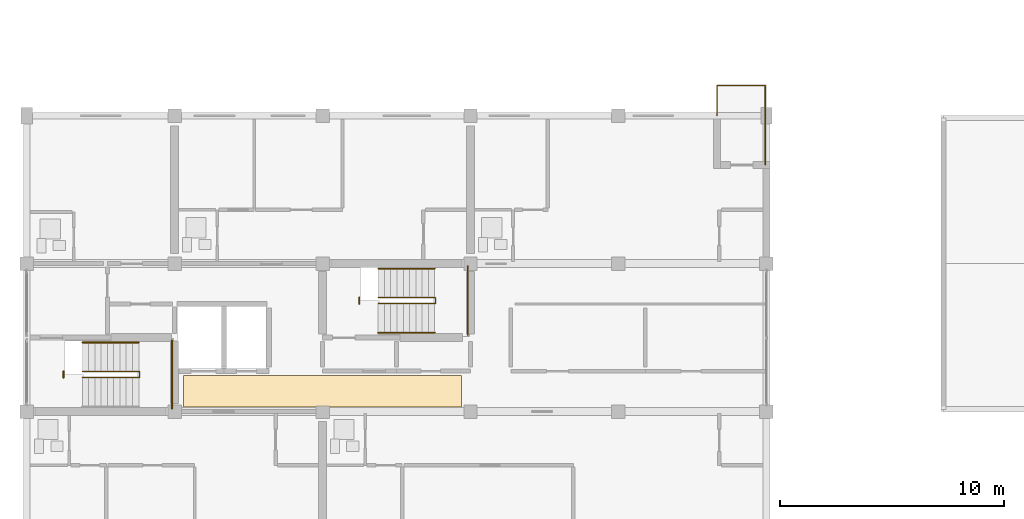
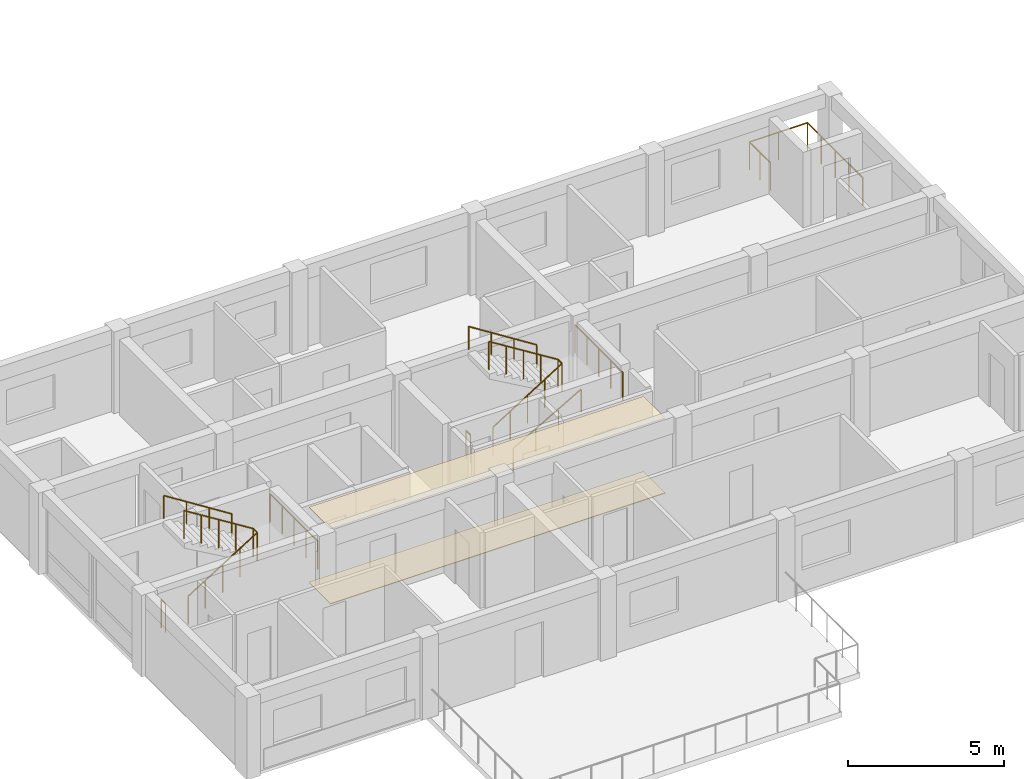
# One storey, part 47 of 51: 10 railings, 2 coverings.
"""IFC4 building model written with IfcOpenShell, lengths in metres."""

from ifc_helpers import new_model, si_unit, direction, frame, origin, origin_2d, place, context, subcontext, project, spatial, polyline, circle, outline, extrude, material, layer, layer_set, type_object, element, save


model = new_model("IFC4")

# Units and contexts
model_context = context("Model", 3, precision=1e-05, world=origin(), true_north=direction((0.0, 1.0)))
body_context = subcontext(model_context, "Body", "Model", "MODEL_VIEW")
ifc_project = project(units=[si_unit("LENGTHUNIT", "METRE"), si_unit("AREAUNIT", "SQUARE_METRE"), si_unit("VOLUMEUNIT", "CUBIC_METRE"), si_unit("PLANEANGLEUNIT", "RADIAN"), si_unit("MASSUNIT", "GRAM", prefix="KILO")], contexts=[model_context])

# Site, building, storey
site_placement = place(None, origin())
site = spatial("IfcSite", under=ifc_project, at=site_placement, CompositionType="ELEMENT")
building_placement = place(site_placement, origin())
building = spatial("IfcBuilding", under=site, at=building_placement, Name="Kernevlak Ridge Housing Community", CompositionType="ELEMENT")
storey_placement = place(building_placement, frame((0.0, 0.0, 8.39990234375)))
storey = spatial("IfcBuildingStorey", under=building, at=storey_placement, Name="L02", CompositionType="ELEMENT", Elevation=8.39990234375)

# Railing
ifc_material_1 = material(Name="Steel S355", Category="steel")
railing_type_1 = type_object("IfcRailingType", Name="BL-01", PredefinedType="BALUSTRADE", material=ifc_material_1)
railing_1_placement = place(storey_placement, frame((46.39990234375, 95.800048828125, 0.0)))
element("IfcRailing", 1, at=railing_1_placement, inside=storey, type_object=railing_type_1, Name="Block A L02 balcony balustrade BL-01 1", PredefinedType="BALUSTRADE", context=body_context, shape_type="SweptSolid", body=[
    extrude(circle(Radius=0.02392578125, at=origin_2d()), frame((0.0, 0.0, 1.076171875), z_axis=(0.0, 1.0, 0.0), x_axis=(-1.0, 0.0, 0.0)), (0.0, 0.0, 1.0), 1.349853515625),
    extrude(circle(Radius=0.02392578125, at=origin_2d()), frame((0.0, 1.349853515625, 1.076171875), z_axis=(1.0, 0.0, 0.0), x_axis=(0.0, 1.0, 0.0)), (0.0, 0.0, 1.0), 2.150146484375),
    extrude(circle(Radius=0.02392578125, at=origin_2d()), frame((2.150146484375, 1.349853515625, 1.076171875), z_axis=(0.0, -1.0, 0.0), x_axis=(1.0, 0.0, 0.0)), (0.0, 0.0, 1.0), 3.5498046875),
    extrude(circle(Radius=0.02099609375, at=origin_2d()), origin(), (0.0, 0.0, 1.0), 1.052001953125),
    extrude(circle(Radius=0.02099609375, at=origin_2d()), frame((0.0, 0.6748046875, 0.0)), (0.0, 0.0, 1.0), 1.052001953125),
    extrude(circle(Radius=0.02099609375, at=origin_2d()), frame((0.0, 1.349853515625, 0.0)), (0.0, 0.0, 1.0), 1.052001953125),
    extrude(circle(Radius=0.02099609375, at=origin_2d()), frame((1.0751953125, 1.349853515625, 0.0)), (0.0, 0.0, 1.0), 1.052001953125),
    extrude(circle(Radius=0.02099609375, at=origin_2d()), frame((2.150146484375, 1.349853515625, 0.0)), (0.0, 0.0, 1.0), 1.052001953125),
    extrude(circle(Radius=0.02099609375, at=origin_2d()), frame((2.150146484375, 0.46240234375, 0.0)), (0.0, 0.0, 1.0), 1.052001953125),
    extrude(circle(Radius=0.02099609375, at=origin_2d()), frame((2.150146484375, -0.425048828125, 0.0)), (0.0, 0.0, 1.0), 1.052001953125),
    extrude(circle(Radius=0.02099609375, at=origin_2d()), frame((2.150146484375, -1.3125, 0.0)), (0.0, 0.0, 1.0), 1.052001953125),
    extrude(circle(Radius=0.02099609375, at=origin_2d()), frame((2.150146484375, -2.199951171875, 0.0)), (0.0, 0.0, 1.0), 1.052001953125),
])

# Coverings
ifc_material_2 = material(Name="Acoustic perforated gypsum ceiling board")
ifc_layer_1 = layer(ifc_material_2, 0.02001953125, Name="Acoustic perforated gypsum ceiling board")
ifc_layer_set_1 = layer_set([ifc_layer_1], Name="Acoustic perforated gypsum ceiling board")
covering_type_1 = type_object("IfcCoveringType", Name="CV-01", PredefinedType="CEILING", material=ifc_layer_set_1)
covering_1_placement = place(storey_placement, frame((0.0, 0.0, 2.940185546875)))
element("IfcCovering", 2, at=covering_1_placement, inside=storey, type_object=covering_type_1, Name="Block A L02 lobby acoustic ceiling", PredefinedType="CEILING", context=body_context, shape_type="SweptSolid", body=[
    extrude(outline(polyline([(22.60009765625, 82.800048828125), (35.0, 82.800048828125), (35.0, 84.199951171875), (22.60009765625, 84.199951171875), (22.60009765625, 82.800048828125)])), origin(), (0.0, 0.0, 1.0), 0.02001953125),
])
ifc_material_3 = material(Name="Polished pale terrazzo tile flooring")
ifc_layer_2 = layer(ifc_material_3, 0.02490234375, Name="Polished pale terrazzo tile flooring")
ifc_layer_set_2 = layer_set([ifc_layer_2], Name="Polished pale terrazzo tile flooring")
covering_type_2 = type_object("IfcCoveringType", Name="CV-02", PredefinedType="FLOORING", material=ifc_layer_set_2)
covering_2_placement = place(storey_placement, origin())
element("IfcCovering", 3, at=covering_2_placement, inside=storey, type_object=covering_type_2, Name="Block A L02 lobby terrazzo flooring", PredefinedType="FLOORING", context=body_context, shape_type="SweptSolid", body=[
    extrude(outline(polyline([(22.60009765625, 82.800048828125), (35.0, 82.800048828125), (35.0, 84.199951171875), (22.60009765625, 84.199951171875), (22.60009765625, 82.800048828125)])), origin(), (0.0, 0.0, 1.0), 0.025146484375),
])

# Railings
railing_type_2 = type_object("IfcRailingType", Name="GR-02", PredefinedType="GUARDRAIL", material=ifc_material_1)
railing_2_placement = place(storey_placement, frame((17.239990234375, 84.110107421875, 0.0)))
element("IfcRailing", 4, at=railing_2_placement, inside=storey, type_object=railing_type_2, Name="Stair ST-A1 L02 well slot guard", PredefinedType="GUARDRAIL", context=body_context, shape_type="SweptSolid", body=[
    extrude(circle(Radius=0.02392578125, at=origin_2d()), frame((0.0, 0.0, 1.09619140625), z_axis=(0.0, 1.0, 0.0), x_axis=(-1.0, 0.0, 0.0)), (0.0, 0.0, 1.0), 0.27978515625),
    extrude(circle(Radius=0.02099609375, at=origin_2d()), origin(), (0.0, 0.0, 1.0), 1.072021484375),
    extrude(circle(Radius=0.02099609375, at=origin_2d()), frame((0.0, 0.27978515625, 0.0)), (0.0, 0.0, 1.0), 1.072021484375),
])
railing_3_placement = place(storey_placement, frame((18.080078125, 84.1201171875, 0.0)))
element("IfcRailing", 5, at=railing_3_placement, inside=storey, type_object=railing_type_2, Name="Stair ST-A1 L02 inner well guardrail", PredefinedType="GUARDRAIL", context=body_context, shape_type="SweptSolid", body=[
    extrude(circle(Radius=0.02392578125, at=origin_2d()), frame((0.0, 0.0, 1.09619140625), z_axis=(0.847966497998, 0.0, 0.530049826217), x_axis=(0.0, 1.0, 0.0)), (0.0, 0.0, 1.0), 3.018798828125),
    extrude(circle(Radius=0.02392578125, at=origin_2d()), frame((2.559814453125, 0.0, 2.6962890625), z_axis=(0.0, 1.0, 0.0), x_axis=(-1.0, 0.0, 0.0)), (0.0, 0.0, 1.0), 0.259765625),
    extrude(circle(Radius=0.02392578125, at=origin_2d()), frame((2.559814453125, 0.259765625, 2.6962890625), z_axis=(-0.847966497998, 0.0, 0.530049826217), x_axis=(0.0, -1.0, 0.0)), (0.0, 0.0, 1.0), 3.018798828125),
    extrude(circle(Radius=0.02099609375, at=origin_2d()), origin(), (0.0, 0.0, 1.0), 1.072021484375),
    extrude(circle(Radius=0.02099609375, at=origin_2d()), frame((0.639892578125, 0.0, 0.39990234375)), (0.0, 0.0, 1.0), 1.072021484375),
    extrude(circle(Radius=0.02099609375, at=origin_2d()), frame((1.27978515625, 0.0, 0.800048828125)), (0.0, 0.0, 1.0), 1.072021484375),
    extrude(circle(Radius=0.02099609375, at=origin_2d()), frame((1.919921875, 0.0, 1.2001953125)), (0.0, 0.0, 1.0), 1.072021484375),
    extrude(circle(Radius=0.02099609375, at=origin_2d()), frame((2.559814453125, 0.0, 1.60009765625)), (0.0, 0.0, 1.0), 1.072021484375),
    extrude(circle(Radius=0.02099609375, at=origin_2d()), frame((2.559814453125, 0.259765625, 1.60009765625)), (0.0, 0.0, 1.0), 1.072021484375),
    extrude(circle(Radius=0.02099609375, at=origin_2d()), frame((1.919921875, 0.259765625, 2.0)), (0.0, 0.0, 1.0), 1.072021484375),
    extrude(circle(Radius=0.02099609375, at=origin_2d()), frame((1.27978515625, 0.259765625, 2.400146484375)), (0.0, 0.0, 1.0), 1.072021484375),
    extrude(circle(Radius=0.02099609375, at=origin_2d()), frame((0.639892578125, 0.259765625, 2.80029296875)), (0.0, 0.0, 1.0), 1.072021484375),
    extrude(circle(Radius=0.02099609375, at=origin_2d()), frame((0.0, 0.259765625, 3.2001953125)), (0.0, 0.0, 1.0), 1.072021484375),
])
railing_4_placement = place(storey_placement, frame((22.080078125, 82.719970703125, 1.60009765625)))
element("IfcRailing", 6, at=railing_4_placement, inside=storey, type_object=railing_type_2, Name="Stair ST-A1 L02 half-landing guard", PredefinedType="GUARDRAIL", context=body_context, shape_type="SweptSolid", body=[
    extrude(circle(Radius=0.02392578125, at=origin_2d()), frame((0.0, 0.0, 1.09619140625), z_axis=(0.0, 1.0, 0.0), x_axis=(-1.0, 0.0, 0.0)), (0.0, 0.0, 1.0), 3.06005859375),
    extrude(circle(Radius=0.02099609375, at=origin_2d()), origin(), (0.0, 0.0, 1.0), 1.072021484375),
    extrude(circle(Radius=0.02099609375, at=origin_2d()), frame((0.0, 0.76513671875, 0.0)), (0.0, 0.0, 1.0), 1.072021484375),
    extrude(circle(Radius=0.02099609375, at=origin_2d()), frame((0.0, 1.530029296875, 0.0)), (0.0, 0.0, 1.0), 1.072021484375),
    extrude(circle(Radius=0.02099609375, at=origin_2d()), frame((0.0, 2.294921875, 0.0)), (0.0, 0.0, 1.0), 1.072021484375),
    extrude(circle(Radius=0.02099609375, at=origin_2d()), frame((0.0, 3.06005859375, 0.0)), (0.0, 0.0, 1.0), 1.072021484375),
])
railing_5_placement = place(storey_placement, frame((30.43994140625, 87.409912109375, 0.0)))
element("IfcRailing", 7, at=railing_5_placement, inside=storey, type_object=railing_type_2, Name="Stair ST-A2 L02 well slot guard", PredefinedType="GUARDRAIL", context=body_context, shape_type="SweptSolid", body=[
    extrude(circle(Radius=0.02392578125, at=origin_2d()), frame((0.0, 0.0, 1.09619140625), z_axis=(0.0, 1.0, 0.0), x_axis=(-1.0, 0.0, 0.0)), (0.0, 0.0, 1.0), 0.280029296875),
    extrude(circle(Radius=0.02099609375, at=origin_2d()), origin(), (0.0, 0.0, 1.0), 1.072021484375),
    extrude(circle(Radius=0.02099609375, at=origin_2d()), frame((0.0, 0.280029296875, 0.0)), (0.0, 0.0, 1.0), 1.072021484375),
])
railing_6_placement = place(storey_placement, frame((31.280029296875, 87.419921875, 0.0)))
element("IfcRailing", 8, at=railing_6_placement, inside=storey, type_object=railing_type_2, Name="Stair ST-A2 L02 inner well guardrail", PredefinedType="GUARDRAIL", context=body_context, shape_type="SweptSolid", body=[
    extrude(circle(Radius=0.02392578125, at=origin_2d()), frame((0.0, 0.0, 1.09619140625), z_axis=(0.847989217509, 0.0, 0.530013478119), x_axis=(0.0, 1.0, 0.0)), (0.0, 0.0, 1.0), 3.01904296875),
    extrude(circle(Radius=0.02392578125, at=origin_2d()), frame((2.56005859375, 0.0, 2.6962890625), z_axis=(0.0, 1.0, 0.0), x_axis=(-1.0, 0.0, 0.0)), (0.0, 0.0, 1.0), 0.260009765625),
    extrude(circle(Radius=0.02392578125, at=origin_2d()), frame((2.56005859375, 0.260009765625, 2.6962890625), z_axis=(-0.847989217509, 0.0, 0.530013478119), x_axis=(0.0, -1.0, 0.0)), (0.0, 0.0, 1.0), 3.01904296875),
    extrude(circle(Radius=0.02099609375, at=origin_2d()), origin(), (0.0, 0.0, 1.0), 1.072021484375),
    extrude(circle(Radius=0.02099609375, at=origin_2d()), frame((0.64013671875, 0.0, 0.39990234375)), (0.0, 0.0, 1.0), 1.072021484375),
    extrude(circle(Radius=0.02099609375, at=origin_2d()), frame((1.280029296875, 0.0, 0.800048828125)), (0.0, 0.0, 1.0), 1.072021484375),
    extrude(circle(Radius=0.02099609375, at=origin_2d()), frame((1.919921875, 0.0, 1.2001953125)), (0.0, 0.0, 1.0), 1.072021484375),
    extrude(circle(Radius=0.02099609375, at=origin_2d()), frame((2.56005859375, 0.0, 1.60009765625)), (0.0, 0.0, 1.0), 1.072021484375),
    extrude(circle(Radius=0.02099609375, at=origin_2d()), frame((2.56005859375, 0.260009765625, 1.60009765625)), (0.0, 0.0, 1.0), 1.072021484375),
    extrude(circle(Radius=0.02099609375, at=origin_2d()), frame((1.919921875, 0.260009765625, 2.0)), (0.0, 0.0, 1.0), 1.072021484375),
    extrude(circle(Radius=0.02099609375, at=origin_2d()), frame((1.280029296875, 0.260009765625, 2.400146484375)), (0.0, 0.0, 1.0), 1.072021484375),
    extrude(circle(Radius=0.02099609375, at=origin_2d()), frame((0.64013671875, 0.260009765625, 2.80029296875)), (0.0, 0.0, 1.0), 1.072021484375),
    extrude(circle(Radius=0.02099609375, at=origin_2d()), frame((0.0, 0.260009765625, 3.2001953125)), (0.0, 0.0, 1.0), 1.072021484375),
])
railing_7_placement = place(storey_placement, frame((35.280029296875, 86.02001953125, 1.60009765625)))
element("IfcRailing", 9, at=railing_7_placement, inside=storey, type_object=railing_type_2, Name="Stair ST-A2 L02 half-landing guard", PredefinedType="GUARDRAIL", context=body_context, shape_type="SweptSolid", body=[
    extrude(circle(Radius=0.02392578125, at=origin_2d()), frame((0.0, 0.0, 1.09619140625), z_axis=(0.0, 1.0, 0.0), x_axis=(-1.0, 0.0, 0.0)), (0.0, 0.0, 1.0), 3.06005859375),
    extrude(circle(Radius=0.02099609375, at=origin_2d()), origin(), (0.0, 0.0, 1.0), 1.072021484375),
    extrude(circle(Radius=0.02099609375, at=origin_2d()), frame((0.0, 0.76513671875, 0.0)), (0.0, 0.0, 1.0), 1.072021484375),
    extrude(circle(Radius=0.02099609375, at=origin_2d()), frame((0.0, 1.530029296875, 0.0)), (0.0, 0.0, 1.0), 1.072021484375),
    extrude(circle(Radius=0.02099609375, at=origin_2d()), frame((0.0, 2.294921875, 0.0)), (0.0, 0.0, 1.0), 1.072021484375),
    extrude(circle(Radius=0.02099609375, at=origin_2d()), frame((0.0, 3.06005859375, 0.0)), (0.0, 0.0, 1.0), 1.072021484375),
])
ifc_material_4 = material(Name="Stainless steel EN 1.4401", Category="steel")
railing_type_3 = type_object("IfcRailingType", Name="HR-01", PredefinedType="HANDRAIL", material=ifc_material_4)
railing_8_placement = place(storey_placement, frame((20.60009765625, 85.679931640625, 1.60009765625)))
element("IfcRailing", 10, at=railing_8_placement, inside=storey, type_object=railing_type_3, Name="Stair ST-A1 L02 flight 2 handrail", PredefinedType="HANDRAIL", context=body_context, shape_type="SweptSolid", body=[
    extrude(circle(Radius=0.02392578125, at=origin_2d()), frame((0.0, 0.0, 0.89599609375), z_axis=(-0.844199891302, 0.0, 0.536028491338), x_axis=(0.0, -1.0, 0.0)), (0.0, 0.0, 1.0), 2.985107421875),
    extrude(circle(Radius=0.02099609375, at=origin_2d()), origin(), (0.0, 0.0, 1.0), 0.871826171875),
    extrude(circle(Radius=0.02099609375, at=origin_2d()), frame((-0.840087890625, 0.0, 0.533447265625)), (0.0, 0.0, 1.0), 0.871826171875),
    extrude(circle(Radius=0.02099609375, at=origin_2d()), frame((-1.679931640625, 0.0, 1.066650390625)), (0.0, 0.0, 1.0), 0.871826171875),
    extrude(circle(Radius=0.02099609375, at=origin_2d()), frame((-2.52001953125, 0.0, 1.60009765625)), (0.0, 0.0, 1.0), 0.871826171875),
])
railing_9_placement = place(storey_placement, frame((31.280029296875, 86.1201171875, 0.16015625)))
element("IfcRailing", 11, at=railing_9_placement, inside=storey, type_object=railing_type_3, Name="Stair ST-A2 L02 flight 1 handrail", PredefinedType="HANDRAIL", context=body_context, shape_type="SweptSolid", body=[
    extrude(circle(Radius=0.02392578125, at=origin_2d()), frame((0.0, 0.0, 0.89599609375), z_axis=(0.868253494771, 0.0, 0.496120820787), x_axis=(0.0, 1.0, 0.0)), (0.0, 0.0, 1.0), 2.90234375),
    extrude(circle(Radius=0.02099609375, at=origin_2d()), origin(), (0.0, 0.0, 1.0), 0.871826171875),
    extrude(circle(Radius=0.02099609375, at=origin_2d()), frame((0.840087890625, 0.0, 0.47998046875)), (0.0, 0.0, 1.0), 0.871826171875),
    extrude(circle(Radius=0.02099609375, at=origin_2d()), frame((1.679931640625, 0.0, 0.9599609375)), (0.0, 0.0, 1.0), 0.871826171875),
    extrude(circle(Radius=0.02099609375, at=origin_2d()), frame((2.52001953125, 0.0, 1.43994140625)), (0.0, 0.0, 1.0), 0.871826171875),
])
railing_10_placement = place(storey_placement, frame((33.800048828125, 88.97998046875, 1.60009765625)))
element("IfcRailing", 12, at=railing_10_placement, inside=storey, type_object=railing_type_3, Name="Stair ST-A2 L02 flight 2 handrail", PredefinedType="HANDRAIL", context=body_context, shape_type="SweptSolid", body=[
    extrude(circle(Radius=0.02392578125, at=origin_2d()), frame((0.0, 0.0, 0.89599609375), z_axis=(-0.844199891302, 0.0, 0.536028491338), x_axis=(0.0, -1.0, 0.0)), (0.0, 0.0, 1.0), 2.985107421875),
    extrude(circle(Radius=0.02099609375, at=origin_2d()), origin(), (0.0, 0.0, 1.0), 0.871826171875),
    extrude(circle(Radius=0.02099609375, at=origin_2d()), frame((-0.840087890625, 0.0, 0.533447265625)), (0.0, 0.0, 1.0), 0.871826171875),
    extrude(circle(Radius=0.02099609375, at=origin_2d()), frame((-1.679931640625, 0.0, 1.066650390625)), (0.0, 0.0, 1.0), 0.871826171875),
    extrude(circle(Radius=0.02099609375, at=origin_2d()), frame((-2.52001953125, 0.0, 1.60009765625)), (0.0, 0.0, 1.0), 0.871826171875),
])

save(model, "model.ifc")
